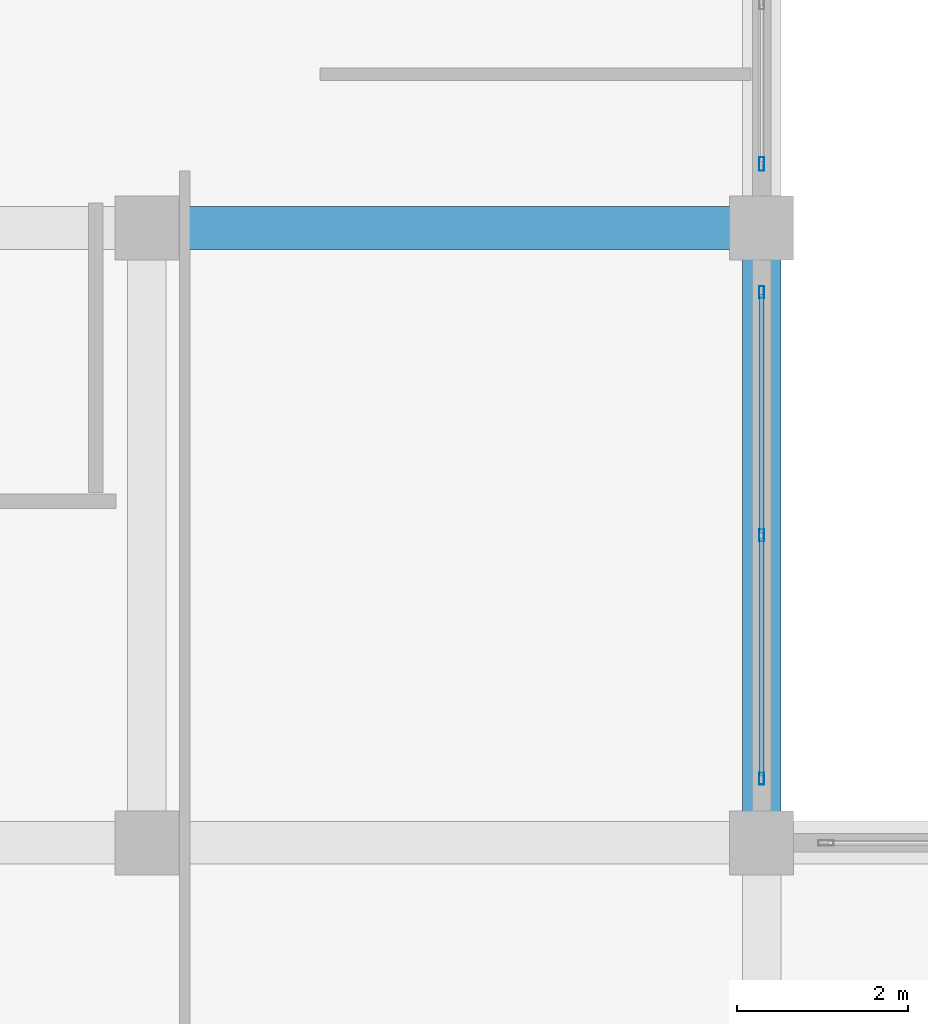
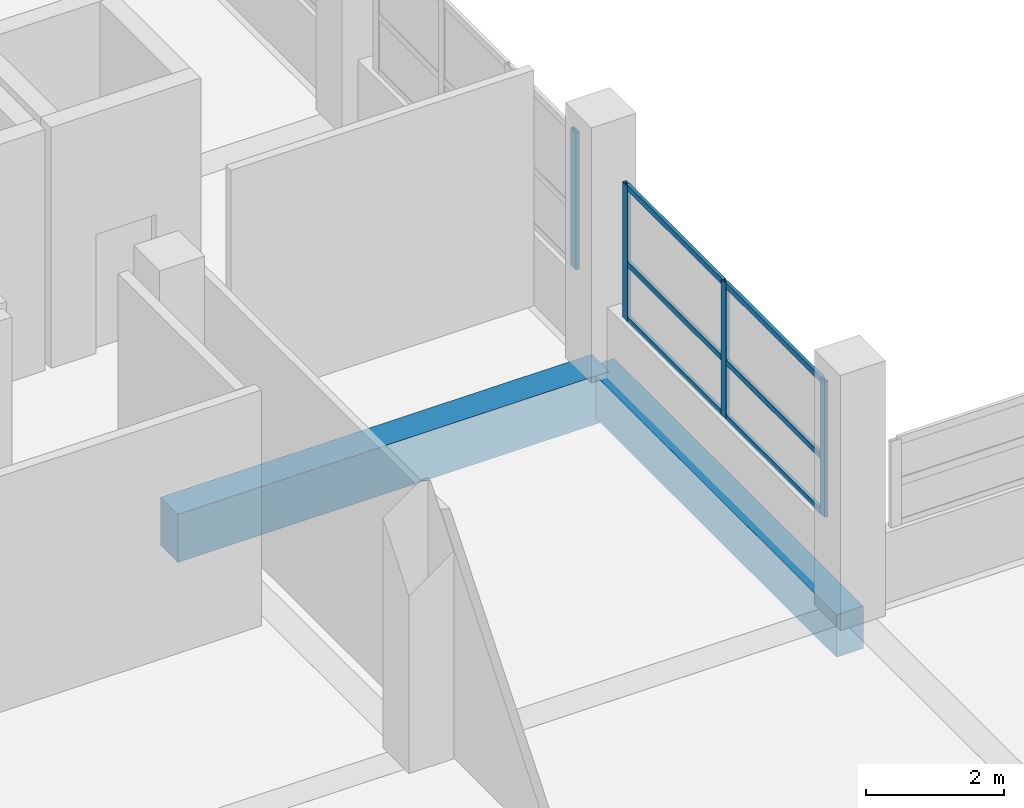
# One storey, part 51 of 141: 10 members, 2 beams, 2 elements without a shape of their own.
"""IFC4 building model written with IfcOpenShell, lengths in metres."""

from ifc_helpers import new_model, si_unit, direction, frame, origin, origin_2d, place, context, subcontext, project, spatial, rectangle, hollow_rectangle, extrude, material, layer, layer_set, material_profile, profile_set, type_object, element, aggregate, save


model = new_model("IFC4")

# Units and contexts
model_context = context("Model", 3, precision=1e-05, world=origin(), true_north=direction((0.0, 1.0)))
body_context = subcontext(model_context, "Body", "Model", "MODEL_VIEW")
ifc_project = project(units=[si_unit("LENGTHUNIT", "METRE"), si_unit("AREAUNIT", "SQUARE_METRE"), si_unit("VOLUMEUNIT", "CUBIC_METRE"), si_unit("PLANEANGLEUNIT", "RADIAN"), si_unit("MASSUNIT", "GRAM", prefix="KILO")], contexts=[model_context])

# Site, building, storey
site_placement = place(None, origin())
site = spatial("IfcSite", under=ifc_project, at=site_placement, CompositionType="ELEMENT")
building_placement = place(site_placement, origin())
building = spatial("IfcBuilding", under=site, at=building_placement, Name="Seraya Terrace Polytechnic", CompositionType="ELEMENT")
storey_placement = place(building_placement, frame((0.0, 0.0, 14.39990234375)))
storey = spatial("IfcBuildingStorey", under=building, at=storey_placement, Name="L03", CompositionType="ELEMENT", Elevation=14.39990234375)

# Beams
ifc_material_1 = material(Name="Concrete C40/50", Category="concrete")
ifc_material_profile_1 = material_profile(ifc_material_1, rectangle(XDim=0.5, YDim=0.85009765625, at=origin_2d()), Name="RC 500x850")
ifc_profile_set_1 = profile_set([ifc_material_profile_1], Name="Concrete C40/50")
beam_type_1 = type_object("IfcBeamType", Name="BM-05", PredefinedType="BEAM", material=ifc_profile_set_1)
beam_1_placement = place(storey_placement, frame((100.800048828125, 36.0, -0.4248046875), z_axis=(1.0, 0.0, 0.0), x_axis=(0.0, 1.0, 0.0)))
element("IfcBeam", 1, at=beam_1_placement, inside=storey, type_object=beam_type_1, Name="Beam BM-05 L03 X (100.8..108.0, 36.0)", PredefinedType="BEAM", context=body_context, shape_type="SweptSolid", body=[
    extrude(rectangle(XDim=0.5, YDim=0.85009765625, at=origin_2d()), origin(), (0.0, 0.0, 1.0), 7.199951171875),
])
ifc_material_profile_2 = material_profile(ifc_material_1, rectangle(XDim=0.449951171875, YDim=0.75, at=origin_2d()), Name="RC 450x750")
ifc_profile_set_2 = profile_set([ifc_material_profile_2], Name="Concrete C40/50")
beam_type_2 = type_object("IfcBeamType", Name="BM-08", PredefinedType="BEAM", material=ifc_profile_set_2)
beam_2_placement = place(storey_placement, frame((108.0, 28.800048828125, -0.375), z_axis=(0.0, 1.0, 0.0), x_axis=(-1.0, 0.0, 0.0)))
element("IfcBeam", 2, at=beam_2_placement, inside=storey, type_object=beam_type_2, Name="Beam BM-08 L03 Y (108.0, 28.8..36.0)", PredefinedType="BEAM", context=body_context, shape_type="SweptSolid", body=[
    extrude(rectangle(XDim=0.449951171875, YDim=0.75, at=origin_2d()), origin(), (0.0, 0.0, 1.0), 7.199951171875),
])

# Curtain wall, member
ifc_material_2 = material(Name="Anodised aluminium EN AW-6063 T6", Category="aluminium")
ifc_layer_1 = layer(ifc_material_2, 0.179931640625, Name="CW-23")
ifc_layer_set_1 = layer_set([ifc_layer_1], Name="Anodised aluminium EN AW-6063 T6")
curtain_wall_type_1 = type_object("IfcCurtainWallType", Name="CW-23", PredefinedType="NOTDEFINED", material=ifc_layer_set_1)
curtain_wall_1_placement = place(storey_placement, origin())
curtain_wall_1 = element("IfcCurtainWall", 3, at=curtain_wall_1_placement, inside=storey, type_object=curtain_wall_type_1, Name="Unitised curtain wall CW-23 (CW-L03-131)", PredefinedType="NOTDEFINED")
ifc_material_profile_3 = material_profile(ifc_material_2, hollow_rectangle(XDim=0.06005859375, YDim=0.159912109375, WallThickness=0.00341796875, at=origin_2d()), Name="RHS 160x60x3.5")
ifc_profile_set_3 = profile_set([ifc_material_profile_3], Name="Anodised aluminium EN AW-6063 T6")
member_type_1 = type_object("IfcMemberType", Name="CWM-02", PredefinedType="MULLION", material=ifc_profile_set_3)
member_1_placement = place(storey_placement, frame((108.0, 36.75, 1.239990234375), z_axis=(0.0, 0.0, 1.0), x_axis=(1.0, 0.0, 0.0)))
member_1 = element("IfcMember", 4, at=member_1_placement, type_object=member_type_1, Name="CW-23 mullion 4", PredefinedType="MULLION", context=body_context, shape_type="SweptSolid", body=[
    extrude(hollow_rectangle(XDim=0.06005859375, YDim=0.159912109375, WallThickness=0.00341796875, at=origin_2d()), origin(), (0.0, 0.0, 1.0), 2.420166015625),
])
aggregate(curtain_wall_1, [member_1])

# Curtain wall, members
ifc_layer_2 = layer(ifc_material_2, 0.179931640625, Name="CW-24")
ifc_layer_set_2 = layer_set([ifc_layer_2], Name="Anodised aluminium EN AW-6063 T6")
curtain_wall_type_2 = type_object("IfcCurtainWallType", Name="CW-24", PredefinedType="NOTDEFINED", material=ifc_layer_set_2)
curtain_wall_2_placement = place(storey_placement, origin())
curtain_wall_2 = element("IfcCurtainWall", 5, at=curtain_wall_2_placement, inside=storey, type_object=curtain_wall_type_2, Name="Unitised curtain wall CW-24 (CW-L03-132)", PredefinedType="NOTDEFINED")
ifc_material_profile_4 = material_profile(ifc_material_2, hollow_rectangle(XDim=0.06005859375, YDim=0.139892578125, WallThickness=0.00341796875, at=origin_2d()), Name="RHS 140x60x3.5")
ifc_profile_set_4 = profile_set([ifc_material_profile_4], Name="Anodised aluminium EN AW-6063 T6")
member_type_2 = type_object("IfcMemberType", Name="CWM-03", PredefinedType="MULLION", material=ifc_profile_set_4)
member_2_placement = place(storey_placement, frame((108.0, 35.25, 1.239990234375), z_axis=(0.0, 0.0, 1.0), x_axis=(1.0, 0.0, 0.0)))
member_2 = element("IfcMember", 6, at=member_2_placement, type_object=member_type_2, Name="CW-24 mullion 1", PredefinedType="MULLION", context=body_context, shape_type="SweptSolid", body=[
    extrude(hollow_rectangle(XDim=0.06005859375, YDim=0.139892578125, WallThickness=0.00341796875, at=origin_2d()), origin(), (0.0, 0.0, 1.0), 2.380126953125),
])
member_3_placement = place(storey_placement, frame((108.0, 32.39990234375, 1.239990234375), z_axis=(0.0, 0.0, 1.0), x_axis=(1.0, 0.0, 0.0)))
member_3 = element("IfcMember", 7, at=member_3_placement, type_object=member_type_2, Name="CW-24 mullion 2", PredefinedType="MULLION", context=body_context, shape_type="SweptSolid", body=[
    extrude(hollow_rectangle(XDim=0.06005859375, YDim=0.139892578125, WallThickness=0.00341796875, at=origin_2d()), origin(), (0.0, 0.0, 1.0), 2.380126953125),
])
member_4_placement = place(storey_placement, frame((108.0, 29.550048828125, 1.239990234375), z_axis=(0.0, 0.0, 1.0), x_axis=(1.0, 0.0, 0.0)))
member_4 = element("IfcMember", 8, at=member_4_placement, type_object=member_type_2, Name="CW-24 mullion 3", PredefinedType="MULLION", context=body_context, shape_type="SweptSolid", body=[
    extrude(hollow_rectangle(XDim=0.06005859375, YDim=0.139892578125, WallThickness=0.00341796875, at=origin_2d()), origin(), (0.0, 0.0, 1.0), 2.380126953125),
])
ifc_material_profile_5 = material_profile(ifc_material_2, hollow_rectangle(XDim=0.054931640625, YDim=0.10009765625, WallThickness=0.0029296875, at=origin_2d()), Name="RHS 100x55x3.0")
ifc_profile_set_5 = profile_set([ifc_material_profile_5], Name="Anodised aluminium EN AW-6063 T6")
member_type_3 = type_object("IfcMemberType", Name="CWT-03", PredefinedType="USERDEFINED", material=ifc_profile_set_5)
member_5_placement = place(storey_placement, frame((108.0, 35.219970703125, 1.267578125), z_axis=(0.0, -1.0, 0.0), x_axis=(1.0, 0.0, 0.0)))
member_5 = element("IfcMember", 9, at=member_5_placement, type_object=member_type_3, Name="CW-24 transom 1.1", ObjectType="TRANSOM", PredefinedType="USERDEFINED", context=body_context, shape_type="SweptSolid", body=[
    extrude(hollow_rectangle(XDim=0.054931640625, YDim=0.10009765625, WallThickness=0.0029296875, at=origin_2d()), origin(), (0.0, 0.0, 1.0), 2.7900390625),
])
member_6_placement = place(storey_placement, frame((108.0, 35.219970703125, 2.23974609375), z_axis=(0.0, -1.0, 0.0), x_axis=(1.0, 0.0, 0.0)))
member_6 = element("IfcMember", 10, at=member_6_placement, type_object=member_type_3, Name="CW-24 transom 1.2", ObjectType="TRANSOM", PredefinedType="USERDEFINED", context=body_context, shape_type="SweptSolid", body=[
    extrude(hollow_rectangle(XDim=0.054931640625, YDim=0.10009765625, WallThickness=0.0029296875, at=origin_2d()), origin(), (0.0, 0.0, 1.0), 2.7900390625),
])
member_7_placement = place(storey_placement, frame((108.0, 35.219970703125, 3.592529296875), z_axis=(0.0, -1.0, 0.0), x_axis=(1.0, 0.0, 0.0)))
member_7 = element("IfcMember", 11, at=member_7_placement, type_object=member_type_3, Name="CW-24 transom 1.3", ObjectType="TRANSOM", PredefinedType="USERDEFINED", context=body_context, shape_type="SweptSolid", body=[
    extrude(hollow_rectangle(XDim=0.054931640625, YDim=0.10009765625, WallThickness=0.0029296875, at=origin_2d()), origin(), (0.0, 0.0, 1.0), 2.7900390625),
])
member_8_placement = place(storey_placement, frame((108.0, 32.3701171875, 1.267578125), z_axis=(0.0, -1.0, 0.0), x_axis=(1.0, 0.0, 0.0)))
member_8 = element("IfcMember", 12, at=member_8_placement, type_object=member_type_3, Name="CW-24 transom 2.1", ObjectType="TRANSOM", PredefinedType="USERDEFINED", context=body_context, shape_type="SweptSolid", body=[
    extrude(hollow_rectangle(XDim=0.054931640625, YDim=0.10009765625, WallThickness=0.0029296875, at=origin_2d()), origin(), (0.0, 0.0, 1.0), 2.7900390625),
])
member_9_placement = place(storey_placement, frame((108.0, 32.3701171875, 2.23974609375), z_axis=(0.0, -1.0, 0.0), x_axis=(1.0, 0.0, 0.0)))
member_9 = element("IfcMember", 13, at=member_9_placement, type_object=member_type_3, Name="CW-24 transom 2.2", ObjectType="TRANSOM", PredefinedType="USERDEFINED", context=body_context, shape_type="SweptSolid", body=[
    extrude(hollow_rectangle(XDim=0.054931640625, YDim=0.10009765625, WallThickness=0.0029296875, at=origin_2d()), origin(), (0.0, 0.0, 1.0), 2.7900390625),
])
member_10_placement = place(storey_placement, frame((108.0, 32.3701171875, 3.592529296875), z_axis=(0.0, -1.0, 0.0), x_axis=(1.0, 0.0, 0.0)))
member_10 = element("IfcMember", 14, at=member_10_placement, type_object=member_type_3, Name="CW-24 transom 2.3", ObjectType="TRANSOM", PredefinedType="USERDEFINED", context=body_context, shape_type="SweptSolid", body=[
    extrude(hollow_rectangle(XDim=0.054931640625, YDim=0.10009765625, WallThickness=0.0029296875, at=origin_2d()), origin(), (0.0, 0.0, 1.0), 2.7900390625),
])
aggregate(curtain_wall_2, [member_2, member_3, member_4, member_5, member_6, member_7, member_8, member_9, member_10])

save(model, "model.ifc")
